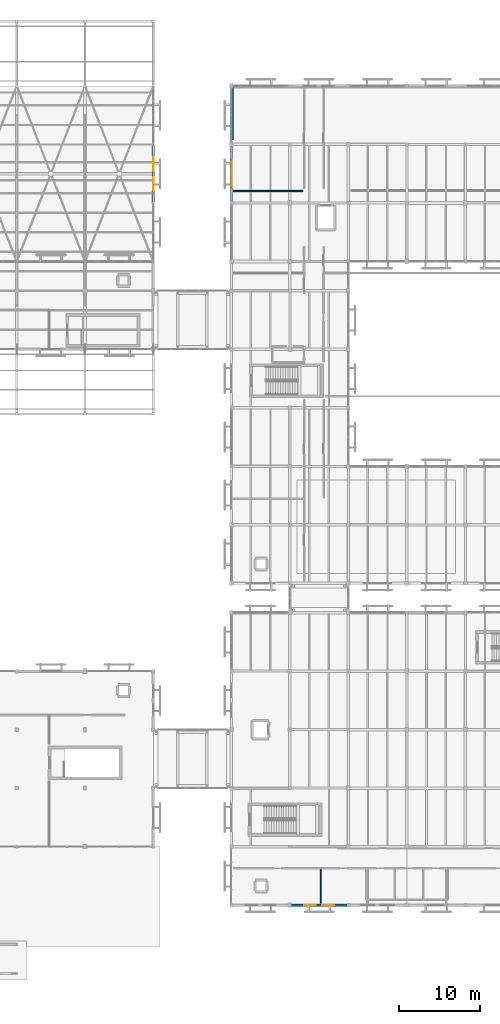
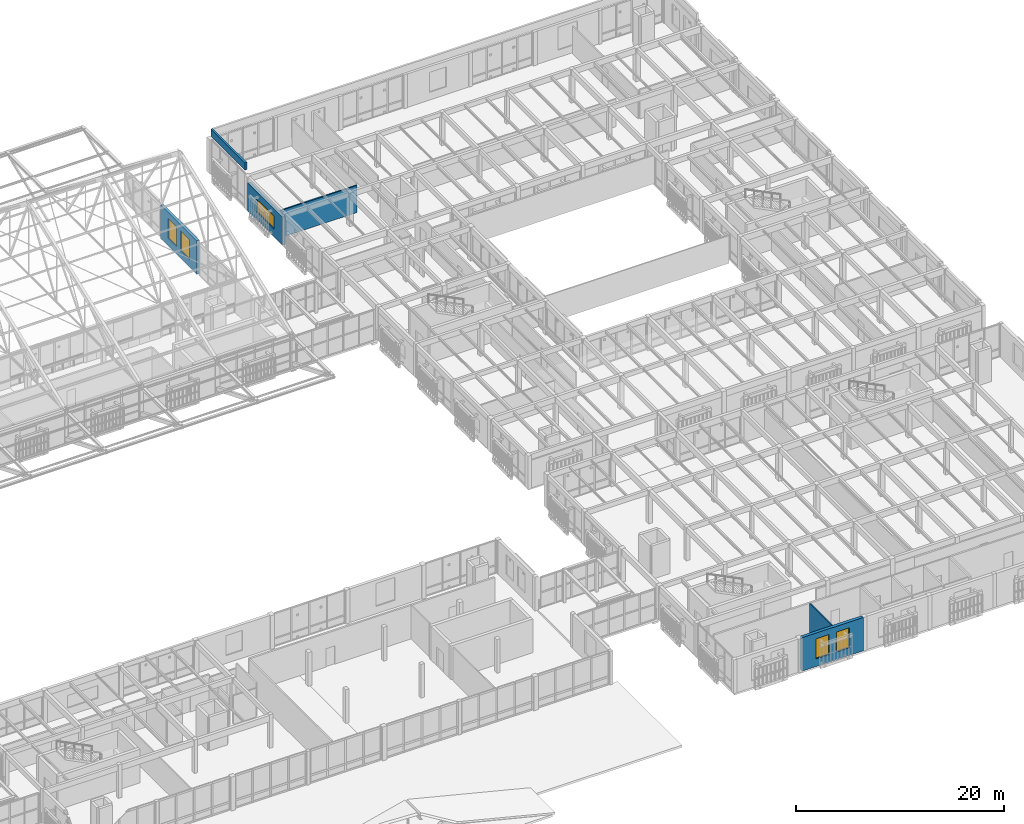
# One storey, part 183 of 217: 6 walls, 5 windows, 5 openings.
"""IFC4 building model written with IfcOpenShell, lengths in metres."""

from ifc_helpers import new_model, si_unit, direction, frame, frame_2d, origin, place, context, subcontext, project, spatial, rectangle, extrude, material, layer, layer_set, type_object, element, fill, save


model = new_model("IFC4")

# Units and contexts
model_context = context("Model", 3, precision=1e-05, world=origin(), true_north=direction((0.0, 1.0)))
body_context = subcontext(model_context, "Body", "Model", "MODEL_VIEW")
ifc_project = project(units=[si_unit("LENGTHUNIT", "METRE"), si_unit("AREAUNIT", "SQUARE_METRE"), si_unit("VOLUMEUNIT", "CUBIC_METRE"), si_unit("PLANEANGLEUNIT", "RADIAN"), si_unit("MASSUNIT", "GRAM", prefix="KILO")], contexts=[model_context])

# Site, building, storey
site_placement = place(None, origin())
site = spatial("IfcSite", under=ifc_project, at=site_placement, CompositionType="ELEMENT")
building_placement = place(site_placement, origin())
building = spatial("IfcBuilding", under=site, at=building_placement, Name="Mazaris Harbour Polytechnic", CompositionType="ELEMENT")
storey_placement = place(building_placement, frame((0.0, 0.0, 9.60009765625)))
storey = spatial("IfcBuildingStorey", under=building, at=storey_placement, Name="L02", CompositionType="ELEMENT", Elevation=9.60009765625)

# Wall
ifc_material_1 = material(Name="Double Gypsum and Mineral Wool")
ifc_layer_1 = layer(ifc_material_1, 0.14990234375, Name="Double Gypsum and Mineral Wool")
ifc_layer_set_1 = layer_set([ifc_layer_1], Name="Double Gypsum and Mineral Wool")
wall_type_1 = type_object("IfcWallType", Name="Classroom Acoustic Partition 150", PredefinedType="PARTITIONING", material=ifc_layer_set_1)
wall_1_placement = place(storey_placement, frame((122.64990234375, 95.074951171875, 0.0), z_axis=(0.0, 0.0, 1.0), x_axis=(1.0, 0.0, 0.0)))
element("IfcWall", 1, at=wall_1_placement, inside=storey, type_object=wall_type_1, Name="V5 L02 Partition 608", PredefinedType="PARTITIONING", context=body_context, shape_type="SweptSolid", body=[
    extrude(rectangle(XDim=8.545166015625, YDim=0.14990234375, at=frame_2d((4.2724609375, 0.0))), origin(), (0.0, 0.0, 1.0), 3.179931640625),
])

# Wall, opening, window
ifc_material_2 = material(Name="Algerian Buff Limestone and Mineral Wool", Category="masonry")
ifc_layer_2 = layer(ifc_material_2, 0.31005859375, Name="Algerian Buff Limestone and Mineral Wool")
ifc_layer_set_2 = layer_set([ifc_layer_2], Name="Algerian Buff Limestone and Mineral Wool")
wall_type_2 = type_object("IfcWallType", Name="Limestone Studio Wall 310", PredefinedType="STANDARD", material=ifc_layer_set_2)
wall_2_placement = place(storey_placement, frame((122.39990234375, 93.83203125, 0.0), z_axis=(0.0, 0.0, 1.0), x_axis=(0.0, 1.0, 0.0)))
wall_2 = element("IfcWall", 2, at=wall_2_placement, inside=storey, type_object=wall_type_2, Name="V5 L02 Exterior Wall 345", PredefinedType="STANDARD", context=body_context, shape_type="SweptSolid", body=[
    extrude(rectangle(XDim=6.7060546875, YDim=0.31005859375, at=frame_2d((3.35302734375, 0.0))), origin(), (0.0, 0.0, 1.0), 3.27978515625),
])
opening_1_placement = place(wall_2_placement, frame((1.653076171875, 0.0, 0.89990234375)))
opening_1 = element("IfcOpeningElement", 3, at=opening_1_placement, cuts=wall_2, Name="Opening WN-16", PredefinedType="OPENING", context=body_context, shape_type="SweptSolid", body=[
    extrude(rectangle(XDim=3.39990234375, YDim=1.5, at=frame_2d((1.699951171875, 0.75))), frame((0.0, 0.1650390625, 0.0), z_axis=(0.0, -1.0, 0.0), x_axis=(1.0, 0.0, 0.0)), (0.0, 0.0, 1.0), 0.330078125),
])
ifc_material_3 = material(Name="Thermally Broken Bronze Aluminium and Low-E Glass", Category="aluminium")
window_type_1 = type_object("IfcWindowType", Name="Workshop Clerestory Ribbon 3400x1500", PartitioningType="DOUBLE_PANEL_VERTICAL", PredefinedType="WINDOW", material=ifc_material_3)
window_1_placement = place(opening_1_placement, origin())
window_1 = element("IfcWindow", 4, at=window_1_placement, inside=storey, type_object=window_type_1, Name="WN-0396", OverallHeight=1.5, OverallWidth=3.39990234375, PartitioningType="DOUBLE_PANEL_VERTICAL", PredefinedType="WINDOW", context=body_context, shape_type="SweptSolid", body=[
    extrude(rectangle(XDim=3.39990234375, YDim=1.5, at=frame_2d((1.699951171875, 0.75))), frame((0.0, 0.030029296875, 0.0), z_axis=(0.0, -1.0, 0.0), x_axis=(1.0, 0.0, 0.0)), (0.0, 0.0, 1.0), 0.06005859375),
])
fill(opening_1, window_1)

# Wall, openings, windows
ifc_material_4 = material(Name="Algerian Buff Limestone and Concrete C30/37", Category="masonry")
ifc_layer_3 = layer(ifc_material_4, 0.344970703125, Name="Algerian Buff Limestone and Concrete C30/37")
ifc_layer_set_3 = layer_set([ifc_layer_3], Name="Algerian Buff Limestone and Concrete C30/37")
wall_type_3 = type_object("IfcWallType", Name="Pavilion Gable Wall 345", PredefinedType="STANDARD", material=ifc_layer_set_3)
wall_3_placement = place(storey_placement, frame((136.6279296875, 7.199951171875, 0.0), z_axis=(0.0, 0.0, 1.0), x_axis=(-1.0, 0.0, 0.0)))
wall_3 = element("IfcWall", 5, at=wall_3_placement, inside=storey, type_object=wall_type_3, Name="V2 L02 Exterior Wall 68", PredefinedType="STANDARD", context=body_context, shape_type="SweptSolid", body=[
    extrude(rectangle(XDim=6.81591796875, YDim=0.344970703125, at=frame_2d((3.407958984375, 0.0))), origin(), (0.0, 0.0, 1.0), 3.919921875),
])
opening_2_placement = place(wall_3_placement, frame((1.55810546875, 0.0, 0.89990234375)))
opening_2 = element("IfcOpeningElement", 6, at=opening_2_placement, cuts=wall_3, Name="Opening WN-19", PredefinedType="OPENING", context=body_context, shape_type="SweptSolid", body=[
    extrude(rectangle(XDim=1.449951171875, YDim=2.35009765625, at=frame_2d((0.72509765625, 1.175048828125))), frame((0.0, 0.182373046875, 0.0), z_axis=(0.0, -1.0, 0.0), x_axis=(1.0, 0.0, 0.0)), (0.0, 0.0, 1.0), 0.364990234375),
])
opening_3_placement = place(wall_3_placement, frame((3.80810546875, 0.0, 0.89990234375)))
opening_3 = element("IfcOpeningElement", 7, at=opening_3_placement, cuts=wall_3, Name="Opening WN-19", PredefinedType="OPENING", context=body_context, shape_type="SweptSolid", body=[
    extrude(rectangle(XDim=1.449951171875, YDim=2.35009765625, at=frame_2d((0.72509765625, 1.175048828125))), frame((0.0, 0.182373046875, 0.0), z_axis=(0.0, -1.0, 0.0), x_axis=(1.0, 0.0, 0.0)), (0.0, 0.0, 1.0), 0.364990234375),
])
ifc_material_5 = material(Name="Thermally Broken Bronze Aluminium and Low-E Glass", Category="aluminium")
window_type_2 = type_object("IfcWindowType", Name="Courtyard Gallery Window 1450x2350", PartitioningType="DOUBLE_PANEL_VERTICAL", PredefinedType="WINDOW", material=ifc_material_5)
window_2_placement = place(opening_2_placement, origin())
window_2 = element("IfcWindow", 8, at=window_2_placement, inside=storey, type_object=window_type_2, Name="WN-0061", OverallHeight=2.35009765625, OverallWidth=1.449951171875, PartitioningType="DOUBLE_PANEL_VERTICAL", PredefinedType="WINDOW", context=body_context, shape_type="SweptSolid", body=[
    extrude(rectangle(XDim=1.449951171875, YDim=2.35009765625, at=frame_2d((0.72509765625, 1.175048828125))), frame((0.0, 0.030029296875, 0.0), z_axis=(0.0, -1.0, 0.0), x_axis=(1.0, 0.0, 0.0)), (0.0, 0.0, 1.0), 0.06005859375),
])
fill(opening_2, window_2)
window_3_placement = place(opening_3_placement, origin())
window_3 = element("IfcWindow", 9, at=window_3_placement, inside=storey, type_object=window_type_2, Name="WN-0062", OverallHeight=2.35009765625, OverallWidth=1.449951171875, PartitioningType="DOUBLE_PANEL_VERTICAL", PredefinedType="WINDOW", context=body_context, shape_type="SweptSolid", body=[
    extrude(rectangle(XDim=1.449951171875, YDim=2.35009765625, at=frame_2d((0.72509765625, 1.175048828125))), frame((0.0, 0.030029296875, 0.0), z_axis=(0.0, -1.0, 0.0), x_axis=(1.0, 0.0, 0.0)), (0.0, 0.0, 1.0), 0.06005859375),
])
fill(opening_3, window_3)

# Walls
ifc_material_6 = material(Name="Gypsum Board and Mineral Wool")
ifc_layer_4 = layer(ifc_material_6, 0.135009765625, Name="Gypsum Board and Mineral Wool")
ifc_layer_set_4 = layer_set([ifc_layer_4], Name="Gypsum Board and Mineral Wool")
wall_type_4 = type_object("IfcWallType", Name="Studio Partition Wall 135", PredefinedType="PARTITIONING", material=ifc_layer_set_4)
wall_4_placement = place(storey_placement, frame((133.386962890625, 7.449951171875, 0.0), z_axis=(0.0, 0.0, 1.0), x_axis=(0.0, 1.0, 0.0)))
element("IfcWall", 10, at=wall_4_placement, inside=storey, type_object=wall_type_4, Name="V2 L02 Partition 143", PredefinedType="PARTITIONING", context=body_context, shape_type="SweptSolid", body=[
    extrude(rectangle(XDim=4.179931640625, YDim=0.135009765625, at=frame_2d((2.08984375, 0.0))), origin(), (0.0, 0.0, 1.0), 3.919921875),
])
ifc_material_7 = material(Name="Concrete C35/45", Category="concrete")
ifc_layer_5 = layer(ifc_material_7, 0.215087890625, Name="Concrete C35/45")
ifc_layer_set_5 = layer_set([ifc_layer_5], Name="Concrete C35/45")
wall_type_5 = type_object("IfcWallType", Name="Terrace Upstand Parapet 215", PredefinedType="PARAPET", material=ifc_layer_set_5)
wall_5_placement = place(storey_placement, frame((122.52001953125, 107.8798828125, 4.199951171875), z_axis=(0.0, 0.0, 1.0), x_axis=(0.0, -1.0, 0.0)))
element("IfcWall", 11, at=wall_5_placement, inside=storey, type_object=wall_type_5, Name="L02 Roof Cornice Parapet 11", PredefinedType="PARAPET", context=body_context, shape_type="SweptSolid", body=[
    extrude(rectangle(XDim=6.52978515625, YDim=0.215087890625, at=frame_2d((3.264892578125, 0.0))), origin(), (0.0, 0.0, 1.0), 0.849853515625),
])

# Wall, openings, windows
ifc_material_8 = material(Name="Terracotta Masonry and Concrete C30/37", Category="masonry")
ifc_layer_6 = layer(ifc_material_8, 0.2900390625, Name="Terracotta Masonry and Concrete C30/37")
ifc_layer_set_6 = layer_set([ifc_layer_6], Name="Terracotta Masonry and Concrete C30/37")
wall_type_6 = type_object("IfcWallType", Name="Workshop Insulated Wall 290", PredefinedType="STANDARD", material=ifc_layer_set_6)
wall_6_placement = place(storey_placement, frame((112.800048828125, 100.6630859375, 0.0), z_axis=(0.0, 0.0, 1.0), x_axis=(0.0, -1.0, 0.0)))
wall_6 = element("IfcWall", 12, at=wall_6_placement, inside=storey, type_object=wall_type_6, Name="V1 L02 Exterior Wall 34", PredefinedType="STANDARD", context=body_context, shape_type="SweptSolid", body=[
    extrude(rectangle(XDim=6.946044921875, YDim=0.2900390625, at=frame_2d((3.47314453125, 0.0))), origin(), (0.0, 0.0, 1.0), 3.9599609375),
])
opening_4_placement = place(wall_6_placement, frame((1.423095703125, 0.0, 0.89990234375)))
opening_4 = element("IfcOpeningElement", 13, at=opening_4_placement, cuts=wall_6, Name="Opening WN-20", PredefinedType="OPENING", context=body_context, shape_type="SweptSolid", body=[
    extrude(rectangle(XDim=1.64990234375, YDim=2.35009765625, at=frame_2d((0.824951171875, 1.175048828125))), frame((0.0, 0.155029296875, 0.0), z_axis=(0.0, -1.0, 0.0), x_axis=(1.0, 0.0, 0.0)), (0.0, 0.0, 1.0), 0.31005859375),
])
opening_5_placement = place(wall_6_placement, frame((3.873046875, 0.0, 0.89990234375)))
opening_5 = element("IfcOpeningElement", 14, at=opening_5_placement, cuts=wall_6, Name="Opening WN-20", PredefinedType="OPENING", context=body_context, shape_type="SweptSolid", body=[
    extrude(rectangle(XDim=1.64990234375, YDim=2.35009765625, at=frame_2d((0.824951171875, 1.175048828125))), frame((0.0, 0.155029296875, 0.0), z_axis=(0.0, -1.0, 0.0), x_axis=(1.0, 0.0, 0.0)), (0.0, 0.0, 1.0), 0.31005859375),
])
ifc_material_9 = material(Name="Thermally Broken Bronze Aluminium and Low-E Glass", Category="aluminium")
window_type_3 = type_object("IfcWindowType", Name="Courtyard Gallery Window 1650x2350", PartitioningType="DOUBLE_PANEL_VERTICAL", PredefinedType="WINDOW", material=ifc_material_9)
window_4_placement = place(opening_4_placement, origin())
window_4 = element("IfcWindow", 15, at=window_4_placement, inside=storey, type_object=window_type_3, Name="WN-0023", OverallHeight=2.35009765625, OverallWidth=1.64990234375, PartitioningType="DOUBLE_PANEL_VERTICAL", PredefinedType="WINDOW", context=body_context, shape_type="SweptSolid", body=[
    extrude(rectangle(XDim=1.64990234375, YDim=2.35009765625, at=frame_2d((0.824951171875, 1.175048828125))), frame((0.0, 0.030029296875, 0.0), z_axis=(0.0, -1.0, 0.0), x_axis=(1.0, 0.0, 0.0)), (0.0, 0.0, 1.0), 0.06005859375),
])
fill(opening_4, window_4)
window_5_placement = place(opening_5_placement, origin())
window_5 = element("IfcWindow", 16, at=window_5_placement, inside=storey, type_object=window_type_3, Name="WN-0024", OverallHeight=2.35009765625, OverallWidth=1.64990234375, PartitioningType="DOUBLE_PANEL_VERTICAL", PredefinedType="WINDOW", context=body_context, shape_type="SweptSolid", body=[
    extrude(rectangle(XDim=1.64990234375, YDim=2.35009765625, at=frame_2d((0.824951171875, 1.175048828125))), frame((0.0, 0.030029296875, 0.0), z_axis=(0.0, -1.0, 0.0), x_axis=(1.0, 0.0, 0.0)), (0.0, 0.0, 1.0), 0.06005859375),
])
fill(opening_5, window_5)

save(model, "model.ifc")
